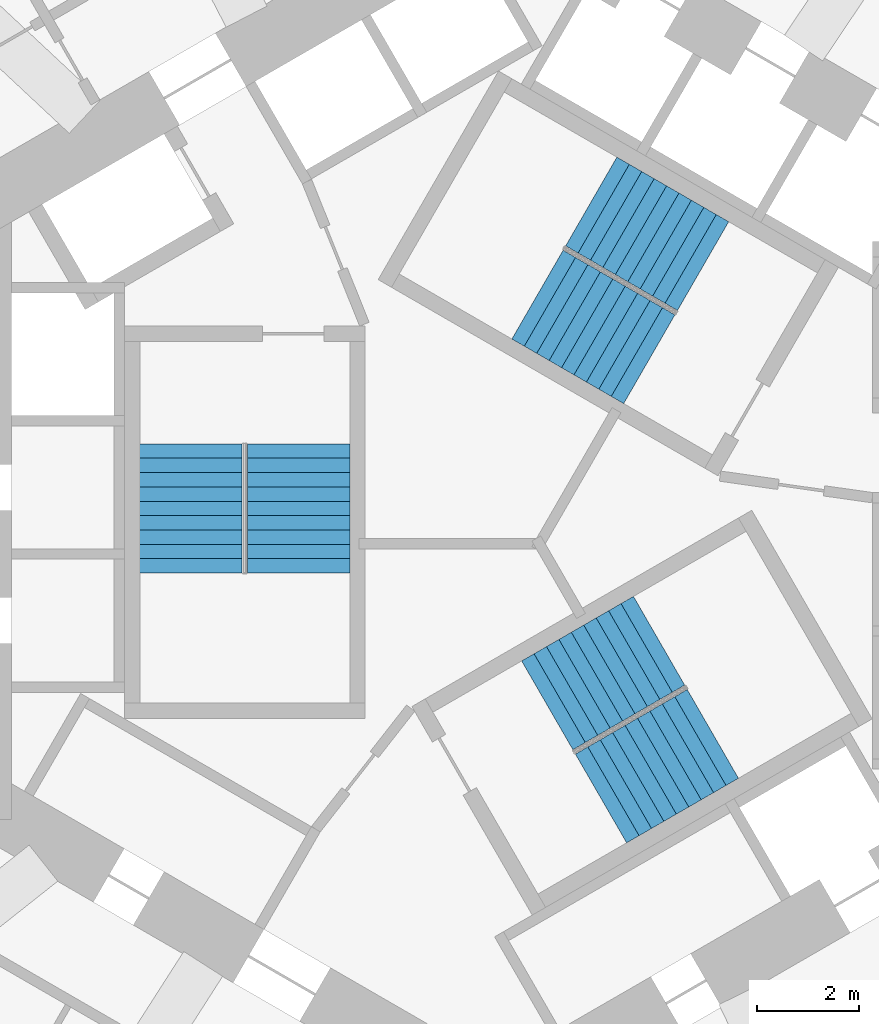
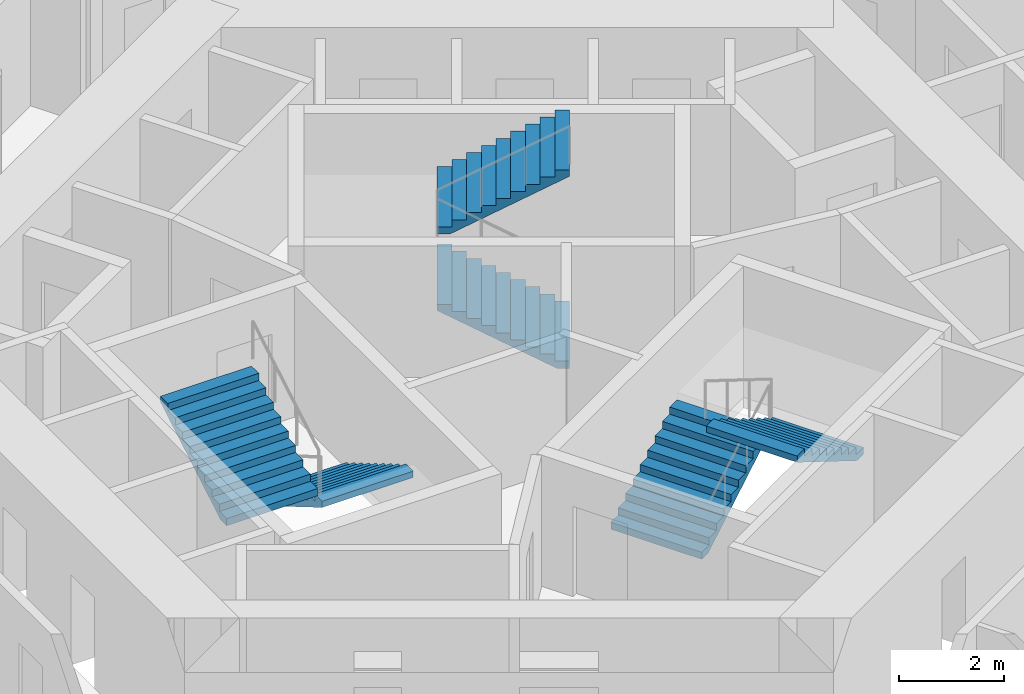
# One storey, part 10 of 12: 6 stair flights, 3 elements without a shape of their own.
"""IFC4 building model written with IfcOpenShell, lengths in metres."""

from ifc_helpers import new_model, si_unit, direction, frame, origin, place, context, subcontext, project, spatial, triangles, source, transform, mapped, material, type_object, element, aggregate, save


model = new_model("IFC4")

# Units and contexts
model_context = context("Model", 3, precision=1e-05, world=origin(), true_north=direction((0.0, 1.0)))
body_context = subcontext(model_context, "Body", "Model", "MODEL_VIEW")
ifc_project = project(units=[si_unit("LENGTHUNIT", "METRE"), si_unit("AREAUNIT", "SQUARE_METRE"), si_unit("VOLUMEUNIT", "CUBIC_METRE"), si_unit("PLANEANGLEUNIT", "RADIAN"), si_unit("MASSUNIT", "GRAM", prefix="KILO")], contexts=[model_context])

# Site, building, storey
site_placement = place(None, origin())
site = spatial("IfcSite", under=ifc_project, at=site_placement, CompositionType="ELEMENT")
building_placement = place(site_placement, origin())
building = spatial("IfcBuilding", under=site, at=building_placement, Name="Vanh Sen Convention Tower", CompositionType="ELEMENT")
storey_placement = place(building_placement, frame((0.0, 0.0, 70.39990234375)))
storey = spatial("IfcBuildingStorey", under=building, at=storey_placement, Name="L15", CompositionType="ELEMENT", Elevation=70.39990234375)

# Stair, stair flights
ifc_material_1 = material(Name="Concrete C50/60", Category="concrete")
stair_type_1 = type_object("IfcStairType", Name="Exit stair ST1 20 risers at 165.0", PredefinedType="HALF_TURN_STAIR", material=ifc_material_1)
stair_1_placement = place(storey_placement, origin())
stair_1 = element("IfcStair", 1, at=stair_1_placement, inside=storey, type_object=stair_type_1, Name="Exit stair ST1 L15", PredefinedType="HALF_TURN_STAIR")
ifc_material_2 = material(Name="Concrete C40/50", Category="concrete")
stair_flight_type = type_object("IfcStairFlightType", Name="Stair flight 2000", PredefinedType="STRAIGHT", material=ifc_material_2)
shared_shape = source(origin(), body_context, "Body", "Tessellation", [
    triangles([(0.24609375, 1.0, 0.0), (0.0, 1.0, 0.0), (0.0, 1.0, 0.1650390625), (0.280029296875, 1.0, 0.1650390625), (0.280029296875, 1.0, 0.330078125), (0.56005859375, 1.0, 0.330078125), (0.56005859375, 1.0, 0.4951171875), (0.840087890625, 1.0, 0.4951171875), (0.840087890625, 1.0, 0.659912109375), (1.1201171875, 1.0, 0.659912109375), (1.1201171875, 1.0, 0.824951171875), (1.39990234375, 1.0, 0.824951171875), (1.39990234375, 1.0, 0.989990234375), (1.679931640625, 1.0, 0.989990234375), (1.679931640625, 1.0, 1.155029296875), (1.9599609375, 1.0, 1.155029296875), (1.9599609375, 1.0, 1.320068359375), (2.239990234375, 1.0, 1.320068359375), (2.239990234375, 1.0, 1.485107421875), (2.52001953125, 1.0, 1.485107421875), (2.52001953125, 1.0, 1.33984375), (0.24609375, -1.0, 0.0), (0.0, -1.0, 0.0), (0.0, -1.0, 0.1650390625), (0.280029296875, -1.0, 0.1650390625), (0.280029296875, -1.0, 0.330078125), (0.56005859375, -1.0, 0.330078125), (0.56005859375, -1.0, 0.4951171875), (0.840087890625, -1.0, 0.4951171875), (0.840087890625, -1.0, 0.659912109375), (1.1201171875, -1.0, 0.659912109375), (1.1201171875, -1.0, 0.824951171875), (1.39990234375, -1.0, 0.824951171875), (1.39990234375, -1.0, 0.989990234375), (1.679931640625, -1.0, 0.989990234375), (1.679931640625, -1.0, 1.155029296875), (1.9599609375, -1.0, 1.155029296875), (1.9599609375, -1.0, 1.320068359375), (2.239990234375, -1.0, 1.320068359375), (2.239990234375, -1.0, 1.485107421875), (2.52001953125, -1.0, 1.485107421875), (2.52001953125, -1.0, 1.33984375), (0.0, 0.0400390625, 0.0), (0.0, 0.0390625, 0.0), (0.0, 0.0380859375, 0.0), (0.0, 0.037109375, 0.0), (0.0, 0.035888671875, 0.0), (0.0, 0.034912109375, 0.0), (0.0, 0.033935546875, 0.0), (0.0, 0.032958984375, 0.0), (0.0, 0.031982421875, 0.0), (0.0, 0.031005859375, 0.0), (0.0, 0.030029296875, 0.0), (0.0, 0.029052734375, 0.0), (0.0, 0.028076171875, 0.0), (0.0, 0.027099609375, 0.0), (0.0, 0.02587890625, 0.0), (0.0, 0.02490234375, 0.0), (0.0, 0.02392578125, 0.0), (0.0, 0.02294921875, 0.0), (0.0, 0.02197265625, 0.0), (0.0, 0.02099609375, 0.0), (0.0, 0.02001953125, 0.0), (0.0, 0.01904296875, 0.0), (0.0, 0.01806640625, 0.0), (0.0, 0.01708984375, 0.0), (0.0, 0.01611328125, 0.0), (0.0, 0.014892578125, 0.0), (0.0, 0.013916015625, 0.0), (0.0, 0.012939453125, 0.0), (0.0, 0.011962890625, 0.0), (0.0, 0.010986328125, 0.0), (0.0, 0.010009765625, 0.0), (0.0, 0.009033203125, 0.0), (0.0, 0.008056640625, 0.0), (0.0, 0.007080078125, 0.0), (0.0, 0.006103515625, 0.0), (0.0, 0.0048828125, 0.0), (0.0, 0.00390625, 0.0), (0.0, 0.0029296875, 0.0), (0.0, 0.001953125, 0.0), (0.0, 0.0009765625, 0.0), (0.0, 0.0, 0.0), (0.0, -0.0009765625, 0.0), (0.0, -0.001953125, 0.0), (0.0, -0.0029296875, 0.0), (0.0, -0.00390625, 0.0), (0.0, -0.0048828125, 0.0), (0.0, -0.006103515625, 0.0), (0.0, -0.007080078125, 0.0), (0.0, -0.008056640625, 0.0), (0.0, -0.009033203125, 0.0), (0.0, -0.010009765625, 0.0), (0.0, -0.010986328125, 0.0), (0.0, -0.011962890625, 0.0), (0.0, -0.012939453125, 0.0), (0.0, -0.013916015625, 0.0), (0.0, -0.014892578125, 0.0), (0.0, -0.01611328125, 0.0), (0.0, -0.01708984375, 0.0), (0.0, -0.01806640625, 0.0), (0.0, -0.01904296875, 0.0), (0.0, -0.02001953125, 0.0), (0.0, -0.02099609375, 0.0), (0.0, -0.02197265625, 0.0), (0.0, -0.02294921875, 0.0), (0.0, -0.02392578125, 0.0), (0.0, -0.02490234375, 0.0), (0.0, -0.02587890625, 0.0), (0.0, -0.027099609375, 0.0), (0.0, -0.028076171875, 0.0), (0.0, -0.029052734375, 0.0), (0.0, -0.030029296875, 0.0), (0.0, -0.031005859375, 0.0), (0.0, -0.031982421875, 0.0), (0.0, -0.032958984375, 0.0), (0.0, -0.033935546875, 0.0), (0.0, -0.034912109375, 0.0), (0.0, -0.035888671875, 0.0), (0.0, -0.037109375, 0.0), (0.0, -0.0380859375, 0.0), (0.0, -0.0390625, 0.0), (0.0, -0.0400390625, 0.0), (0.0, 0.0400390625, 0.1650390625), (0.0, 0.0390625, 0.1650390625), (0.0, 0.0380859375, 0.1650390625), (0.0, 0.037109375, 0.1650390625), (0.0, 0.035888671875, 0.1650390625), (0.0, 0.034912109375, 0.1650390625), (0.0, 0.033935546875, 0.1650390625), (0.0, 0.032958984375, 0.1650390625), (0.0, 0.031982421875, 0.1650390625), (0.0, 0.031005859375, 0.1650390625), (0.0, 0.030029296875, 0.1650390625), (0.0, 0.029052734375, 0.1650390625), (0.0, 0.028076171875, 0.1650390625), (0.0, 0.027099609375, 0.1650390625), (0.0, 0.02587890625, 0.1650390625), (0.0, 0.02490234375, 0.1650390625), (0.0, 0.02392578125, 0.1650390625), (0.0, 0.02294921875, 0.1650390625), (0.0, 0.02197265625, 0.1650390625), (0.0, 0.02099609375, 0.1650390625), (0.0, 0.02001953125, 0.1650390625), (0.0, 0.01904296875, 0.1650390625), (0.0, 0.01806640625, 0.1650390625), (0.0, 0.01708984375, 0.1650390625), (0.0, 0.01611328125, 0.1650390625), (0.0, 0.014892578125, 0.1650390625), (0.0, 0.013916015625, 0.1650390625), (0.0, 0.012939453125, 0.1650390625), (0.0, 0.011962890625, 0.1650390625), (0.0, 0.010986328125, 0.1650390625), (0.0, 0.010009765625, 0.1650390625), (0.0, 0.009033203125, 0.1650390625), (0.0, 0.008056640625, 0.1650390625), (0.0, 0.007080078125, 0.1650390625), (0.0, 0.006103515625, 0.1650390625), (0.0, 0.0048828125, 0.1650390625), (0.0, 0.00390625, 0.1650390625), (0.0, 0.0029296875, 0.1650390625), (0.0, 0.001953125, 0.1650390625), (0.0, 0.0009765625, 0.1650390625), (0.0, 0.0, 0.1650390625), (0.0, -0.0009765625, 0.1650390625), (0.0, -0.001953125, 0.1650390625), (0.0, -0.0029296875, 0.1650390625), (0.0, -0.00390625, 0.1650390625), (0.0, -0.0048828125, 0.1650390625), (0.0, -0.006103515625, 0.1650390625), (0.0, -0.007080078125, 0.1650390625), (0.0, -0.008056640625, 0.1650390625), (0.0, -0.009033203125, 0.1650390625), (0.0, -0.010009765625, 0.1650390625), (0.0, -0.010986328125, 0.1650390625), (0.0, -0.011962890625, 0.1650390625), (0.0, -0.012939453125, 0.1650390625), (0.0, -0.013916015625, 0.1650390625), (0.0, -0.014892578125, 0.1650390625), (0.0, -0.01611328125, 0.1650390625), (0.0, -0.01708984375, 0.1650390625), (0.0, -0.01806640625, 0.1650390625), (0.0, -0.01904296875, 0.1650390625), (0.0, -0.02001953125, 0.1650390625), (0.0, -0.02099609375, 0.1650390625), (0.0, -0.02197265625, 0.1650390625), (0.0, -0.02294921875, 0.1650390625), (0.0, -0.02392578125, 0.1650390625), (0.0, -0.02490234375, 0.1650390625), (0.0, -0.02587890625, 0.1650390625), (0.0, -0.027099609375, 0.1650390625), (0.0, -0.028076171875, 0.1650390625), (0.0, -0.029052734375, 0.1650390625), (0.0, -0.030029296875, 0.1650390625), (0.0, -0.031005859375, 0.1650390625), (0.0, -0.031982421875, 0.1650390625), (0.0, -0.032958984375, 0.1650390625), (0.0, -0.033935546875, 0.1650390625), (0.0, -0.034912109375, 0.1650390625), (0.0, -0.035888671875, 0.1650390625), (0.0, -0.037109375, 0.1650390625), (0.0, -0.0380859375, 0.1650390625), (0.0, -0.0390625, 0.1650390625), (0.0, -0.0400390625, 0.1650390625), (0.280029296875, 0.0, 0.1650390625), (0.280029296875, 0.0, 0.330078125), (0.56005859375, 0.0, 0.330078125), (0.56005859375, 0.0, 0.4951171875), (0.840087890625, 0.0, 0.4951171875), (0.840087890625, 0.0, 0.659912109375), (1.1201171875, 0.0, 0.659912109375), (1.1201171875, 0.0, 0.824951171875), (1.39990234375, 0.0, 0.824951171875), (1.39990234375, 0.0, 0.989990234375), (1.679931640625, 0.0, 0.989990234375), (1.679931640625, 0.0, 1.155029296875), (1.9599609375, 0.0, 1.155029296875), (1.9599609375, 0.0, 1.320068359375), (2.239990234375, 0.0, 1.320068359375), (2.239990234375, 0.0, 1.485107421875), (2.52001953125, 0.0400390625, 1.485107421875), (2.52001953125, 0.0390625, 1.485107421875), (2.52001953125, 0.0380859375, 1.485107421875), (2.52001953125, 0.037109375, 1.485107421875), (2.52001953125, 0.035888671875, 1.485107421875), (2.52001953125, 0.034912109375, 1.485107421875), (2.52001953125, 0.033935546875, 1.485107421875), (2.52001953125, 0.032958984375, 1.485107421875), (2.52001953125, 0.031982421875, 1.485107421875), (2.52001953125, 0.031005859375, 1.485107421875), (2.52001953125, 0.030029296875, 1.485107421875), (2.52001953125, 0.029052734375, 1.485107421875), (2.52001953125, 0.028076171875, 1.485107421875), (2.52001953125, 0.027099609375, 1.485107421875), (2.52001953125, 0.02587890625, 1.485107421875), (2.52001953125, 0.02490234375, 1.485107421875), (2.52001953125, 0.02392578125, 1.485107421875), (2.52001953125, 0.02294921875, 1.485107421875), (2.52001953125, 0.02197265625, 1.485107421875), (2.52001953125, 0.02099609375, 1.485107421875), (2.52001953125, 0.02001953125, 1.485107421875), (2.52001953125, 0.01904296875, 1.485107421875), (2.52001953125, 0.01806640625, 1.485107421875), (2.52001953125, 0.01708984375, 1.485107421875), (2.52001953125, 0.01611328125, 1.485107421875), (2.52001953125, 0.014892578125, 1.485107421875), (2.52001953125, 0.013916015625, 1.485107421875), (2.52001953125, 0.012939453125, 1.485107421875), (2.52001953125, 0.011962890625, 1.485107421875), (2.52001953125, 0.010986328125, 1.485107421875), (2.52001953125, 0.010009765625, 1.485107421875), (2.52001953125, 0.009033203125, 1.485107421875), (2.52001953125, 0.008056640625, 1.485107421875), (2.52001953125, 0.007080078125, 1.485107421875), (2.52001953125, 0.006103515625, 1.485107421875), (2.52001953125, 0.0048828125, 1.485107421875), (2.52001953125, 0.00390625, 1.485107421875), (2.52001953125, 0.0029296875, 1.485107421875), (2.52001953125, 0.001953125, 1.485107421875), (2.52001953125, 0.0009765625, 1.485107421875), (2.52001953125, 0.0, 1.485107421875), (2.52001953125, -0.0009765625, 1.485107421875), (2.52001953125, -0.001953125, 1.485107421875), (2.52001953125, -0.0029296875, 1.485107421875), (2.52001953125, -0.00390625, 1.485107421875), (2.52001953125, -0.0048828125, 1.485107421875), (2.52001953125, -0.006103515625, 1.485107421875), (2.52001953125, -0.007080078125, 1.485107421875), (2.52001953125, -0.008056640625, 1.485107421875), (2.52001953125, -0.009033203125, 1.485107421875), (2.52001953125, -0.010009765625, 1.485107421875), (2.52001953125, -0.010986328125, 1.485107421875), (2.52001953125, -0.011962890625, 1.485107421875), (2.52001953125, -0.012939453125, 1.485107421875), (2.52001953125, -0.013916015625, 1.485107421875), (2.52001953125, -0.014892578125, 1.485107421875), (2.52001953125, -0.01611328125, 1.485107421875), (2.52001953125, -0.01708984375, 1.485107421875), (2.52001953125, -0.01806640625, 1.485107421875), (2.52001953125, -0.01904296875, 1.485107421875), (2.52001953125, -0.02001953125, 1.485107421875), (2.52001953125, -0.02099609375, 1.485107421875), (2.52001953125, -0.02197265625, 1.485107421875), (2.52001953125, -0.02294921875, 1.485107421875), (2.52001953125, -0.02392578125, 1.485107421875), (2.52001953125, -0.02490234375, 1.485107421875), (2.52001953125, -0.02587890625, 1.485107421875), (2.52001953125, -0.027099609375, 1.485107421875), (2.52001953125, -0.028076171875, 1.485107421875), (2.52001953125, -0.029052734375, 1.485107421875), (2.52001953125, -0.030029296875, 1.485107421875), (2.52001953125, -0.031005859375, 1.485107421875), (2.52001953125, -0.031982421875, 1.485107421875), (2.52001953125, -0.032958984375, 1.485107421875), (2.52001953125, -0.033935546875, 1.485107421875), (2.52001953125, -0.034912109375, 1.485107421875), (2.52001953125, -0.035888671875, 1.485107421875), (2.52001953125, -0.037109375, 1.485107421875), (2.52001953125, -0.0380859375, 1.485107421875), (2.52001953125, -0.0390625, 1.485107421875), (2.52001953125, -0.0400390625, 1.485107421875), (2.52001953125, 0.0400390625, 1.33984375), (2.52001953125, 0.0390625, 1.33984375), (2.52001953125, 0.0380859375, 1.33984375), (2.52001953125, 0.037109375, 1.33984375), (2.52001953125, 0.035888671875, 1.33984375), (2.52001953125, 0.034912109375, 1.33984375), (2.52001953125, 0.033935546875, 1.33984375), (2.52001953125, 0.032958984375, 1.33984375), (2.52001953125, 0.031982421875, 1.33984375), (2.52001953125, 0.031005859375, 1.33984375), (2.52001953125, 0.030029296875, 1.33984375), (2.52001953125, 0.029052734375, 1.33984375), (2.52001953125, 0.028076171875, 1.33984375), (2.52001953125, 0.027099609375, 1.33984375), (2.52001953125, 0.02587890625, 1.33984375), (2.52001953125, 0.02490234375, 1.33984375), (2.52001953125, 0.02392578125, 1.33984375), (2.52001953125, 0.02294921875, 1.33984375), (2.52001953125, 0.02197265625, 1.33984375), (2.52001953125, 0.02099609375, 1.33984375), (2.52001953125, 0.02001953125, 1.33984375), (2.52001953125, 0.01904296875, 1.33984375), (2.52001953125, 0.01806640625, 1.33984375), (2.52001953125, 0.01708984375, 1.33984375), (2.52001953125, 0.01611328125, 1.33984375), (2.52001953125, 0.014892578125, 1.33984375), (2.52001953125, 0.013916015625, 1.33984375), (2.52001953125, 0.012939453125, 1.33984375), (2.52001953125, 0.011962890625, 1.33984375), (2.52001953125, 0.010986328125, 1.33984375), (2.52001953125, 0.010009765625, 1.33984375), (2.52001953125, 0.009033203125, 1.33984375), (2.52001953125, 0.008056640625, 1.33984375), (2.52001953125, 0.007080078125, 1.33984375), (2.52001953125, 0.006103515625, 1.33984375), (2.52001953125, 0.0048828125, 1.33984375), (2.52001953125, 0.00390625, 1.33984375), (2.52001953125, 0.0029296875, 1.33984375), (2.52001953125, 0.001953125, 1.33984375), (2.52001953125, 0.0009765625, 1.33984375), (2.52001953125, 0.0, 1.33984375), (2.52001953125, -0.0009765625, 1.33984375), (2.52001953125, -0.001953125, 1.33984375), (2.52001953125, -0.0029296875, 1.33984375), (2.52001953125, -0.00390625, 1.33984375), (2.52001953125, -0.0048828125, 1.33984375), (2.52001953125, -0.006103515625, 1.33984375), (2.52001953125, -0.007080078125, 1.33984375), (2.52001953125, -0.008056640625, 1.33984375), (2.52001953125, -0.009033203125, 1.33984375), (2.52001953125, -0.010009765625, 1.33984375), (2.52001953125, -0.010986328125, 1.33984375), (2.52001953125, -0.011962890625, 1.33984375), (2.52001953125, -0.012939453125, 1.33984375), (2.52001953125, -0.013916015625, 1.33984375), (2.52001953125, -0.014892578125, 1.33984375), (2.52001953125, -0.01611328125, 1.33984375), (2.52001953125, -0.01708984375, 1.33984375), (2.52001953125, -0.01806640625, 1.33984375), (2.52001953125, -0.01904296875, 1.33984375), (2.52001953125, -0.02001953125, 1.33984375), (2.52001953125, -0.02099609375, 1.33984375), (2.52001953125, -0.02197265625, 1.33984375), (2.52001953125, -0.02294921875, 1.33984375), (2.52001953125, -0.02392578125, 1.33984375), (2.52001953125, -0.02490234375, 1.33984375), (2.52001953125, -0.02587890625, 1.33984375), (2.52001953125, -0.027099609375, 1.33984375), (2.52001953125, -0.028076171875, 1.33984375), (2.52001953125, -0.029052734375, 1.33984375), (2.52001953125, -0.030029296875, 1.33984375), (2.52001953125, -0.031005859375, 1.33984375), (2.52001953125, -0.031982421875, 1.33984375), (2.52001953125, -0.032958984375, 1.33984375), (2.52001953125, -0.033935546875, 1.33984375), (2.52001953125, -0.034912109375, 1.33984375), (2.52001953125, -0.035888671875, 1.33984375), (2.52001953125, -0.037109375, 1.33984375), (2.52001953125, -0.0380859375, 1.33984375), (2.52001953125, -0.0390625, 1.33984375), (2.52001953125, -0.0400390625, 1.33984375), (0.24609375, 0.0, 0.0)], [[1, 2, 3], [1, 3, 4], [4, 5, 6], [1, 4, 6], [6, 7, 8], [1, 6, 8], [8, 9, 10], [1, 8, 10], [10, 11, 12], [1, 10, 12], [12, 13, 14], [1, 12, 14], [14, 15, 16], [1, 14, 16], [16, 17, 18], [1, 16, 18], [18, 19, 20], [1, 18, 20], [20, 21, 1], [22, 24, 23], [22, 25, 24], [25, 27, 26], [22, 27, 25], [27, 29, 28], [22, 29, 27], [29, 31, 30], [22, 31, 29], [31, 33, 32], [22, 33, 31], [33, 35, 34], [22, 35, 33], [35, 37, 36], [22, 37, 35], [37, 39, 38], [22, 39, 37], [39, 41, 40], [22, 41, 39], [41, 22, 42], [2, 124, 3], [2, 43, 124], [43, 125, 124], [43, 44, 125], [44, 126, 125], [44, 45, 126], [45, 127, 126], [45, 46, 127], [46, 128, 127], [46, 47, 128], [47, 129, 128], [47, 48, 129], [48, 130, 129], [48, 49, 130], [49, 131, 130], [49, 50, 131], [50, 132, 131], [50, 51, 132], [51, 133, 132], [51, 52, 133], [52, 134, 133], [52, 53, 134], [53, 135, 134], [53, 54, 135], [54, 136, 135], [54, 55, 136], [55, 137, 136], [55, 56, 137], [56, 138, 137], [56, 57, 138], [57, 139, 138], [57, 58, 139], [58, 140, 139], [58, 59, 140], [59, 141, 140], [59, 60, 141], [60, 142, 141], [60, 61, 142], [61, 143, 142], [61, 62, 143], [62, 144, 143], [62, 63, 144], [63, 145, 144], [63, 64, 145], [64, 146, 145], [64, 65, 146], [65, 147, 146], [65, 66, 147], [66, 148, 147], [66, 67, 148], [67, 149, 148], [67, 68, 149], [68, 150, 149], [68, 69, 150], [69, 151, 150], [69, 70, 151], [70, 152, 151], [70, 71, 152], [71, 153, 152], [71, 72, 153], [72, 154, 153], [72, 73, 154], [73, 155, 154], [73, 74, 155], [74, 156, 155], [74, 75, 156], [75, 157, 156], [75, 76, 157], [76, 158, 157], [76, 77, 158], [77, 159, 158], [77, 78, 159], [78, 160, 159], [78, 79, 160], [79, 161, 160], [79, 80, 161], [80, 162, 161], [80, 81, 162], [81, 163, 162], [81, 82, 163], [82, 164, 163], [82, 83, 164], [83, 84, 164], [164, 84, 165], [84, 85, 165], [165, 85, 166], [85, 86, 166], [166, 86, 167], [86, 87, 167], [167, 87, 168], [87, 88, 168], [168, 88, 169], [88, 89, 169], [169, 89, 170], [89, 90, 170], [170, 90, 171], [90, 91, 171], [171, 91, 172], [91, 92, 172], [172, 92, 173], [92, 93, 173], [173, 93, 174], [93, 94, 174], [174, 94, 175], [94, 95, 175], [175, 95, 176], [95, 96, 176], [176, 96, 177], [96, 97, 177], [177, 97, 178], [97, 98, 178], [178, 98, 179], [98, 99, 179], [179, 99, 180], [99, 100, 180], [180, 100, 181], [100, 101, 181], [181, 101, 182], [101, 102, 182], [182, 102, 183], [102, 103, 183], [183, 103, 184], [103, 104, 184], [184, 104, 185], [104, 105, 185], [185, 105, 186], [105, 106, 186], [186, 106, 187], [106, 107, 187], [187, 107, 188], [107, 108, 188], [188, 108, 189], [108, 109, 189], [189, 109, 190], [109, 110, 190], [190, 110, 191], [110, 111, 191], [191, 111, 192], [111, 112, 192], [192, 112, 193], [112, 113, 193], [193, 113, 194], [113, 114, 194], [194, 114, 195], [114, 115, 195], [195, 115, 196], [115, 116, 196], [196, 116, 197], [116, 117, 197], [197, 117, 198], [117, 118, 198], [198, 118, 199], [118, 119, 199], [199, 119, 200], [119, 120, 200], [200, 120, 201], [120, 121, 201], [201, 121, 202], [121, 122, 202], [202, 122, 203], [122, 123, 203], [203, 123, 204], [123, 23, 204], [204, 23, 24], [4, 3, 124], [4, 124, 125], [4, 125, 126], [4, 126, 127], [4, 127, 128], [4, 128, 129], [4, 129, 130], [4, 130, 131], [4, 131, 132], [4, 132, 133], [4, 133, 134], [4, 134, 135], [4, 135, 136], [4, 136, 137], [4, 137, 138], [4, 138, 139], [4, 139, 140], [4, 140, 141], [4, 141, 142], [4, 142, 143], [4, 143, 144], [4, 144, 145], [4, 145, 146], [4, 146, 147], [4, 147, 148], [4, 148, 149], [4, 149, 150], [4, 150, 151], [4, 151, 152], [4, 152, 153], [4, 153, 154], [4, 154, 155], [4, 155, 156], [4, 156, 157], [4, 157, 158], [4, 158, 159], [4, 159, 160], [4, 160, 161], [4, 161, 162], [4, 162, 163], [4, 163, 164], [25, 164, 165], [25, 165, 166], [25, 166, 167], [25, 167, 168], [25, 168, 169], [25, 169, 170], [25, 170, 171], [25, 171, 172], [25, 172, 173], [25, 173, 174], [25, 174, 175], [25, 175, 176], [25, 176, 177], [25, 177, 178], [25, 178, 179], [25, 179, 180], [25, 180, 181], [25, 181, 182], [25, 182, 183], [25, 183, 184], [25, 184, 185], [25, 185, 186], [25, 186, 187], [25, 187, 188], [25, 188, 189], [25, 189, 190], [25, 190, 191], [25, 191, 192], [25, 192, 193], [25, 193, 194], [25, 194, 195], [25, 195, 196], [25, 196, 197], [25, 197, 198], [25, 198, 199], [25, 199, 200], [25, 200, 201], [25, 201, 202], [25, 202, 203], [25, 203, 204], [25, 204, 24], [4, 164, 205], [25, 205, 164], [4, 206, 5], [4, 205, 206], [205, 25, 206], [206, 25, 26], [5, 207, 6], [5, 206, 207], [206, 26, 207], [207, 26, 27], [6, 208, 7], [6, 207, 208], [207, 27, 208], [208, 27, 28], [7, 209, 8], [7, 208, 209], [208, 28, 209], [209, 28, 29], [8, 210, 9], [8, 209, 210], [209, 29, 210], [210, 29, 30], [9, 211, 10], [9, 210, 211], [210, 30, 211], [211, 30, 31], [10, 212, 11], [10, 211, 212], [211, 31, 212], [212, 31, 32], [11, 213, 12], [11, 212, 213], [212, 32, 213], [213, 32, 33], [12, 214, 13], [12, 213, 214], [213, 33, 214], [214, 33, 34], [13, 215, 14], [13, 214, 215], [214, 34, 215], [215, 34, 35], [14, 216, 15], [14, 215, 216], [215, 35, 216], [216, 35, 36], [15, 217, 16], [15, 216, 217], [216, 36, 217], [217, 36, 37], [16, 218, 17], [16, 217, 218], [217, 37, 218], [218, 37, 38], [17, 219, 18], [17, 218, 219], [218, 38, 219], [219, 38, 39], [18, 220, 19], [18, 219, 220], [219, 39, 220], [220, 39, 40], [19, 221, 20], [19, 222, 221], [19, 223, 222], [19, 224, 223], [19, 225, 224], [19, 226, 225], [19, 227, 226], [19, 228, 227], [19, 229, 228], [19, 230, 229], [19, 231, 230], [19, 232, 231], [19, 233, 232], [19, 234, 233], [19, 235, 234], [19, 236, 235], [19, 237, 236], [19, 238, 237], [19, 239, 238], [19, 240, 239], [19, 241, 240], [19, 242, 241], [19, 243, 242], [19, 244, 243], [19, 245, 244], [19, 246, 245], [19, 247, 246], [19, 248, 247], [19, 249, 248], [19, 250, 249], [19, 251, 250], [19, 252, 251], [19, 253, 252], [19, 254, 253], [19, 255, 254], [19, 256, 255], [19, 257, 256], [19, 258, 257], [19, 259, 258], [19, 260, 259], [19, 261, 260], [40, 262, 261], [40, 263, 262], [40, 264, 263], [40, 265, 264], [40, 266, 265], [40, 267, 266], [40, 268, 267], [40, 269, 268], [40, 270, 269], [40, 271, 270], [40, 272, 271], [40, 273, 272], [40, 274, 273], [40, 275, 274], [40, 276, 275], [40, 277, 276], [40, 278, 277], [40, 279, 278], [40, 280, 279], [40, 281, 280], [40, 282, 281], [40, 283, 282], [40, 284, 283], [40, 285, 284], [40, 286, 285], [40, 287, 286], [40, 288, 287], [40, 289, 288], [40, 290, 289], [40, 291, 290], [40, 292, 291], [40, 293, 292], [40, 294, 293], [40, 295, 294], [40, 296, 295], [40, 297, 296], [40, 298, 297], [40, 299, 298], [40, 300, 299], [40, 301, 300], [40, 41, 301], [19, 220, 261], [40, 261, 220], [20, 302, 21], [20, 221, 302], [221, 303, 302], [221, 222, 303], [222, 304, 303], [222, 223, 304], [223, 305, 304], [223, 224, 305], [224, 306, 305], [224, 225, 306], [225, 307, 306], [225, 226, 307], [226, 308, 307], [226, 227, 308], [227, 309, 308], [227, 228, 309], [228, 310, 309], [228, 229, 310], [229, 311, 310], [229, 230, 311], [230, 312, 311], [230, 231, 312], [231, 313, 312], [231, 232, 313], [232, 314, 313], [232, 233, 314], [233, 315, 314], [233, 234, 315], [234, 316, 315], [234, 235, 316], [235, 317, 316], [235, 236, 317], [236, 318, 317], [236, 237, 318], [237, 319, 318], [237, 238, 319], [238, 320, 319], [238, 239, 320], [239, 321, 320], [239, 240, 321], [240, 322, 321], [240, 241, 322], [241, 323, 322], [241, 242, 323], [242, 324, 323], [242, 243, 324], [243, 325, 324], [243, 244, 325], [244, 326, 325], [244, 245, 326], [245, 327, 326], [245, 246, 327], [246, 328, 327], [246, 247, 328], [247, 329, 328], [247, 248, 329], [248, 330, 329], [248, 249, 330], [249, 331, 330], [249, 250, 331], [250, 332, 331], [250, 251, 332], [251, 333, 332], [251, 252, 333], [252, 334, 333], [252, 253, 334], [253, 335, 334], [253, 254, 335], [254, 336, 335], [254, 255, 336], [255, 337, 336], [255, 256, 337], [256, 338, 337], [256, 257, 338], [257, 339, 338], [257, 258, 339], [258, 340, 339], [258, 259, 340], [259, 341, 340], [259, 260, 341], [260, 342, 341], [260, 261, 342], [261, 262, 342], [342, 262, 343], [262, 263, 343], [343, 263, 344], [263, 264, 344], [344, 264, 345], [264, 265, 345], [345, 265, 346], [265, 266, 346], [346, 266, 347], [266, 267, 347], [347, 267, 348], [267, 268, 348], [348, 268, 349], [268, 269, 349], [349, 269, 350], [269, 270, 350], [350, 270, 351], [270, 271, 351], [351, 271, 352], [271, 272, 352], [352, 272, 353], [272, 273, 353], [353, 273, 354], [273, 274, 354], [354, 274, 355], [274, 275, 355], [355, 275, 356], [275, 276, 356], [356, 276, 357], [276, 277, 357], [357, 277, 358], [277, 278, 358], [358, 278, 359], [278, 279, 359], [359, 279, 360], [279, 280, 360], [360, 280, 361], [280, 281, 361], [361, 281, 362], [281, 282, 362], [362, 282, 363], [282, 283, 363], [363, 283, 364], [283, 284, 364], [364, 284, 365], [284, 285, 365], [365, 285, 366], [285, 286, 366], [366, 286, 367], [286, 287, 367], [367, 287, 368], [287, 288, 368], [368, 288, 369], [288, 289, 369], [369, 289, 370], [289, 290, 370], [370, 290, 371], [290, 291, 371], [371, 291, 372], [291, 292, 372], [372, 292, 373], [292, 293, 373], [373, 293, 374], [293, 294, 374], [374, 294, 375], [294, 295, 375], [375, 295, 376], [295, 296, 376], [376, 296, 377], [296, 297, 377], [377, 297, 378], [297, 298, 378], [378, 298, 379], [298, 299, 379], [379, 299, 380], [299, 300, 380], [380, 300, 381], [300, 301, 381], [381, 301, 382], [301, 41, 382], [382, 41, 42], [1, 21, 302], [1, 302, 303], [1, 303, 304], [1, 304, 305], [1, 305, 306], [1, 306, 307], [1, 307, 308], [1, 308, 309], [1, 309, 310], [1, 310, 311], [1, 311, 312], [1, 312, 313], [1, 313, 314], [1, 314, 315], [1, 315, 316], [1, 316, 317], [1, 317, 318], [1, 318, 319], [1, 319, 320], [1, 320, 321], [1, 321, 322], [1, 322, 323], [1, 323, 324], [1, 324, 325], [1, 325, 326], [1, 326, 327], [1, 327, 328], [1, 328, 329], [1, 329, 330], [1, 330, 331], [1, 331, 332], [1, 332, 333], [1, 333, 334], [1, 334, 335], [1, 335, 336], [1, 336, 337], [1, 337, 338], [1, 338, 339], [1, 339, 340], [1, 340, 341], [1, 341, 342], [22, 342, 343], [22, 343, 344], [22, 344, 345], [22, 345, 346], [22, 346, 347], [22, 347, 348], [22, 348, 349], [22, 349, 350], [22, 350, 351], [22, 351, 352], [22, 352, 353], [22, 353, 354], [22, 354, 355], [22, 355, 356], [22, 356, 357], [22, 357, 358], [22, 358, 359], [22, 359, 360], [22, 360, 361], [22, 361, 362], [22, 362, 363], [22, 363, 364], [22, 364, 365], [22, 365, 366], [22, 366, 367], [22, 367, 368], [22, 368, 369], [22, 369, 370], [22, 370, 371], [22, 371, 372], [22, 372, 373], [22, 373, 374], [22, 374, 375], [22, 375, 376], [22, 376, 377], [22, 377, 378], [22, 378, 379], [22, 379, 380], [22, 380, 381], [22, 381, 382], [22, 382, 42], [1, 342, 383], [22, 383, 342], [1, 43, 2], [1, 44, 43], [1, 45, 44], [1, 46, 45], [1, 47, 46], [1, 48, 47], [1, 49, 48], [1, 50, 49], [1, 51, 50], [1, 52, 51], [1, 53, 52], [1, 54, 53], [1, 55, 54], [1, 56, 55], [1, 57, 56], [1, 58, 57], [1, 59, 58], [1, 60, 59], [1, 61, 60], [1, 62, 61], [1, 63, 62], [1, 64, 63], [1, 65, 64], [1, 66, 65], [1, 67, 66], [1, 68, 67], [1, 69, 68], [1, 70, 69], [1, 71, 70], [1, 72, 71], [1, 73, 72], [1, 74, 73], [1, 75, 74], [1, 76, 75], [1, 77, 76], [1, 78, 77], [1, 79, 78], [1, 80, 79], [1, 81, 80], [1, 82, 81], [1, 83, 82], [22, 84, 83], [22, 85, 84], [22, 86, 85], [22, 87, 86], [22, 88, 87], [22, 89, 88], [22, 90, 89], [22, 91, 90], [22, 92, 91], [22, 93, 92], [22, 94, 93], [22, 95, 94], [22, 96, 95], [22, 97, 96], [22, 98, 97], [22, 99, 98], [22, 100, 99], [22, 101, 100], [22, 102, 101], [22, 103, 102], [22, 104, 103], [22, 105, 104], [22, 106, 105], [22, 107, 106], [22, 108, 107], [22, 109, 108], [22, 110, 109], [22, 111, 110], [22, 112, 111], [22, 113, 112], [22, 114, 113], [22, 115, 114], [22, 116, 115], [22, 117, 116], [22, 118, 117], [22, 119, 118], [22, 120, 119], [22, 121, 120], [22, 122, 121], [22, 123, 122], [22, 23, 123], [1, 383, 83], [22, 83, 383]], closed=True),
])
stair_flight_1_placement = place(storey_placement, frame((2.94580078125, 2.802490234375, 0.0), z_axis=(0.0, 0.0, 1.0), x_axis=(-0.866025403784, 0.5, 0.0)))
stair_flight_1 = element("IfcStairFlight", 2, at=stair_flight_1_placement, type_object=stair_flight_type, Name="ST1 flight 1", NumberOfRisers=10, NumberOfTreads=9, PredefinedType="STRAIGHT", RiserHeight=0.165, TreadLength=0.28, context=body_context, shape_type="MappedRepresentation", body=[
    mapped(shared_shape, transform((0.0, 0.0, 0.0))),
])
stair_flight_2_placement = place(storey_placement, frame((1.8134765625, 5.881103515625, 1.650146484375), z_axis=(0.0, 0.0, 1.0), x_axis=(0.866025403784, -0.5, 0.0)))
stair_flight_2 = element("IfcStairFlight", 3, at=stair_flight_2_placement, type_object=stair_flight_type, Name="ST1 flight 2", NumberOfRisers=10, NumberOfTreads=9, PredefinedType="STRAIGHT", RiserHeight=0.165, TreadLength=0.28, context=body_context, shape_type="MappedRepresentation", body=[
    mapped(shared_shape, transform((0.0, 0.0, 0.0))),
])
aggregate(stair_1, [stair_flight_1, stair_flight_2])

stair_type_2 = type_object("IfcStairType", Name="Exit stair ST2 20 risers at 165.0", PredefinedType="HALF_TURN_STAIR", material=ifc_material_1)
stair_2_placement = place(storey_placement, origin())
stair_2 = element("IfcStair", 4, at=stair_2_placement, inside=storey, type_object=stair_type_2, Name="Exit stair ST2 L15", PredefinedType="HALF_TURN_STAIR")
stair_flight_3_placement = place(storey_placement, frame((-3.89990234375, 1.14990234375, 0.0), z_axis=(0.0, 0.0, 1.0), x_axis=(0.0, -1.0, 0.0)))
stair_flight_3 = element("IfcStairFlight", 5, at=stair_flight_3_placement, type_object=stair_flight_type, Name="ST2 flight 1", NumberOfRisers=10, NumberOfTreads=9, PredefinedType="STRAIGHT", RiserHeight=0.165, TreadLength=0.28, context=body_context, shape_type="MappedRepresentation", body=[
    mapped(shared_shape, transform((0.0, 0.0, 0.0))),
])
stair_flight_4_placement = place(storey_placement, frame((-6.0, -1.3701171875, 1.650146484375), z_axis=(0.0, 0.0, 1.0), x_axis=(0.0, 1.0, 0.0)))
stair_flight_4 = element("IfcStairFlight", 6, at=stair_flight_4_placement, type_object=stair_flight_type, Name="ST2 flight 2", NumberOfRisers=10, NumberOfTreads=9, PredefinedType="STRAIGHT", RiserHeight=0.165, TreadLength=0.28, context=body_context, shape_type="MappedRepresentation", body=[
    mapped(shared_shape, transform((0.0, 0.0, 0.0))),
])
aggregate(stair_2, [stair_flight_3, stair_flight_4])

stair_type_3 = type_object("IfcStairType", Name="Exit stair ST3 20 risers at 165.0", PredefinedType="HALF_TURN_STAIR", material=ifc_material_1)
stair_3_placement = place(storey_placement, origin())
stair_3 = element("IfcStair", 7, at=stair_3_placement, inside=storey, type_object=stair_type_3, Name="Exit stair ST3 L15", PredefinedType="HALF_TURN_STAIR")
stair_flight_5_placement = place(storey_placement, frame((0.9541015625, -3.952392578125, 0.0), z_axis=(0.0, 0.0, 1.0), x_axis=(0.866025403784, 0.5, 0.0)))
stair_flight_5 = element("IfcStairFlight", 8, at=stair_flight_5_placement, type_object=stair_flight_type, Name="ST3 flight 1", NumberOfRisers=10, NumberOfTreads=9, PredefinedType="STRAIGHT", RiserHeight=0.165, TreadLength=0.28, context=body_context, shape_type="MappedRepresentation", body=[
    mapped(shared_shape, transform((0.0, 0.0, 0.0))),
])
stair_flight_6_placement = place(storey_placement, frame((4.1865234375, -4.51123046875, 1.650146484375), z_axis=(0.0, 0.0, 1.0), x_axis=(-0.866025403784, -0.5, 0.0)))
stair_flight_6 = element("IfcStairFlight", 9, at=stair_flight_6_placement, type_object=stair_flight_type, Name="ST3 flight 2", NumberOfRisers=10, NumberOfTreads=9, PredefinedType="STRAIGHT", RiserHeight=0.165, TreadLength=0.28, context=body_context, shape_type="MappedRepresentation", body=[
    mapped(shared_shape, transform((0.0, 0.0, 0.0))),
])
aggregate(stair_3, [stair_flight_5, stair_flight_6])

save(model, "model.ifc")
